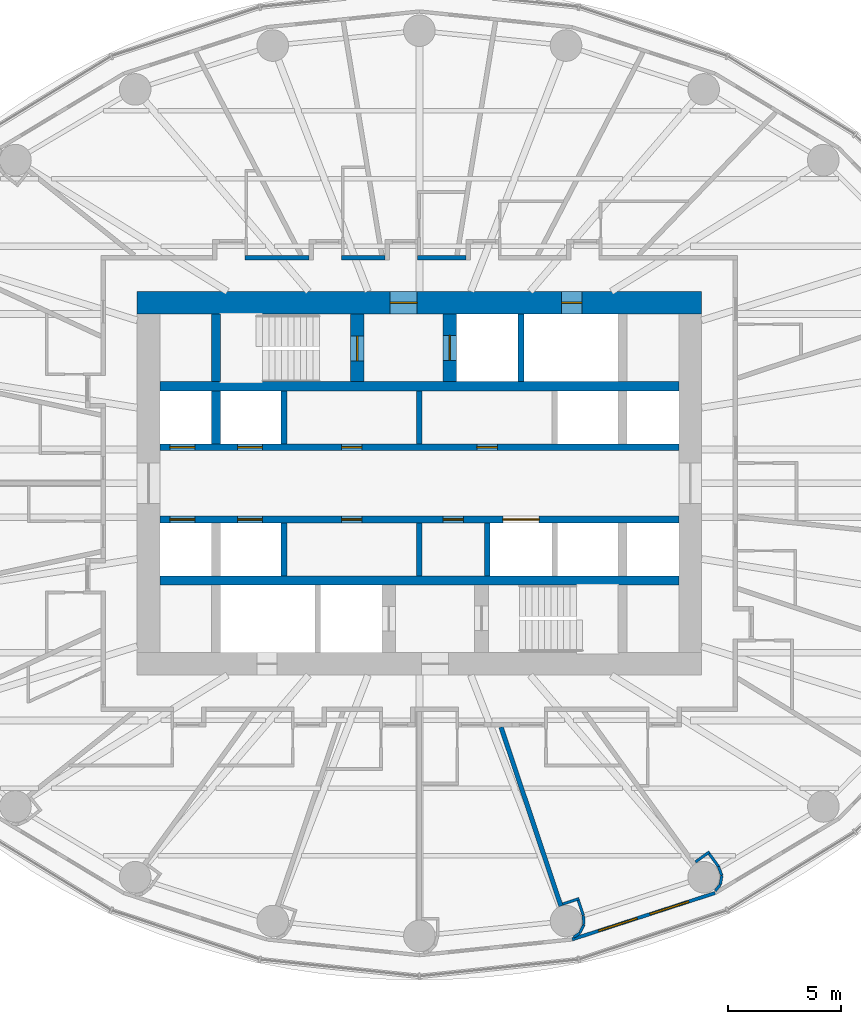
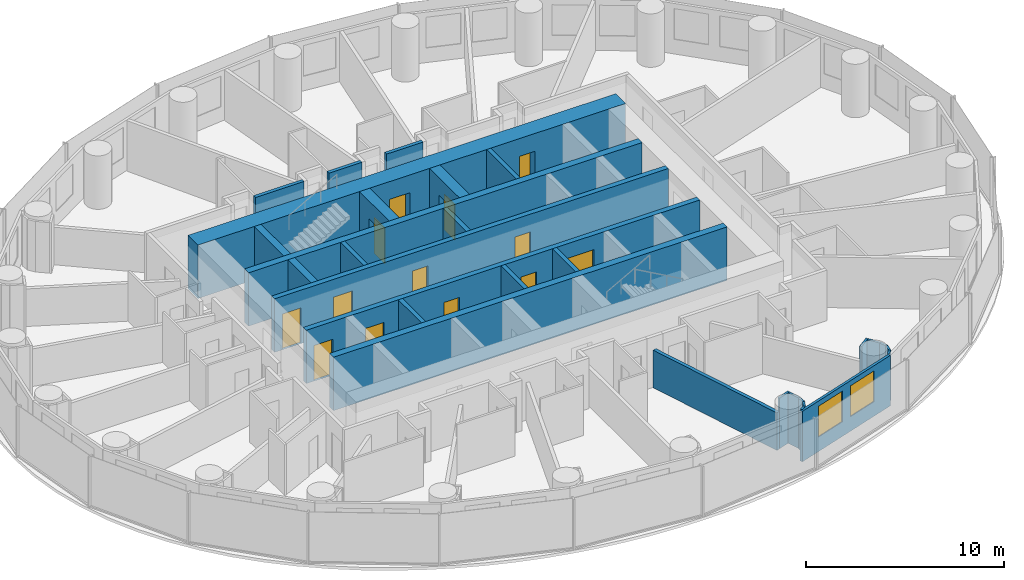
# One storey, part 9 of 14: 30 walls, 13 doors, 2 windows, 15 openings.
"""IFC4 building model written with IfcOpenShell, lengths in metres."""

from ifc_helpers import new_model, si_unit, direction, frame, frame_2d, origin, place, context, subcontext, project, spatial, rectangle, extrude, material, layer, layer_set, type_object, element, fill, save


model = new_model("IFC4")

# Units and contexts
model_context = context("Model", 3, precision=1e-05, world=origin(), true_north=direction((0.0, 1.0)))
body_context = subcontext(model_context, "Body", "Model", "MODEL_VIEW")
ifc_project = project(units=[si_unit("LENGTHUNIT", "METRE"), si_unit("AREAUNIT", "SQUARE_METRE"), si_unit("VOLUMEUNIT", "CUBIC_METRE"), si_unit("PLANEANGLEUNIT", "RADIAN"), si_unit("MASSUNIT", "GRAM", prefix="KILO")], contexts=[model_context])

# Site, building, storey
site_placement = place(None, origin())
site = spatial("IfcSite", under=ifc_project, at=site_placement, CompositionType="ELEMENT")
building_placement = place(site_placement, origin())
building = spatial("IfcBuilding", under=site, at=building_placement, Name="Hankou Lantern Tower", CompositionType="ELEMENT")
storey_placement = place(building_placement, frame((0.0, 0.0, 50.699951171875)))
storey = spatial("IfcBuildingStorey", under=building, at=storey_placement, Name="L11", CompositionType="ELEMENT", Elevation=50.699951171875)

# Wall, openings, doors
ifc_material_1 = material(Name="Concrete C60", Category="concrete")
ifc_layer_1 = layer(ifc_material_1, 1.0)
ifc_layer_set_1 = layer_set([ifc_layer_1], Name="Concrete C60")
wall_type_1 = type_object("IfcWallType", Name="CW1 CORE WALL 1000", PredefinedType="SHEAR", material=ifc_layer_set_1)
wall_1_placement = place(storey_placement, frame((-12.5, 8.0, 0.0), z_axis=(0.0, 0.0, 1.0), x_axis=(1.0, 0.0, 0.0)))
wall_1 = element("IfcWall", 1, at=wall_1_placement, inside=storey, type_object=wall_type_1, Name="Core wall north L11", PredefinedType="SHEAR", context=body_context, shape_type="SweptSolid", body=[
    extrude(rectangle(XDim=25.0, YDim=1.0, at=frame_2d((12.5, 0.0))), origin(), (0.0, 0.0, 1.0), 3.300048828125),
])
opening_1_placement = place(wall_1_placement, frame((11.199951171875, 0.0, 0.0)))
opening_1 = element("IfcOpeningElement", 2, at=opening_1_placement, cuts=wall_1, Name="Opening D5", PredefinedType="OPENING", context=body_context, shape_type="SweptSolid", body=[
    extrude(rectangle(XDim=1.199951171875, YDim=2.199951171875, at=frame_2d((0.60009765625, 1.10009765625))), frame((0.0, 0.510009765625, 0.0), z_axis=(0.0, -1.0, 0.0), x_axis=(1.0, 0.0, 0.0)), (0.0, 0.0, 1.0), 1.02001953125),
])
opening_2_placement = place(wall_1_placement, frame((18.800048828125, 0.0, 0.0)))
opening_2 = element("IfcOpeningElement", 3, at=opening_2_placement, cuts=wall_1, Name="Opening D7", PredefinedType="OPENING", context=body_context, shape_type="SweptSolid", body=[
    extrude(rectangle(XDim=0.89990234375, YDim=2.199951171875, at=frame_2d((0.449951171875, 1.10009765625))), frame((0.0, 0.510009765625, 0.0), z_axis=(0.0, -1.0, 0.0), x_axis=(1.0, 0.0, 0.0)), (0.0, 0.0, 1.0), 1.02001953125),
])
ifc_material_2 = material(Name="Steel door leaf", Category="steel")
door_type_1 = type_object("IfcDoorType", Name="D5 STAIR LOBBY DOOR 1200X2200", OperationType="SINGLE_SWING_LEFT", PredefinedType="DOOR", material=ifc_material_2)
door_1_placement = place(opening_1_placement, origin())
door_1 = element("IfcDoor", 4, at=door_1_placement, inside=storey, type_object=door_type_1, Name="Stair A lobby door", OperationType="SINGLE_SWING_LEFT", OverallHeight=2.199951171875, OverallWidth=1.199951171875, PredefinedType="DOOR", context=body_context, shape_type="SweptSolid", body=[
    extrude(rectangle(XDim=1.199951171875, YDim=2.199951171875, at=frame_2d((0.60009765625, 1.10009765625))), frame((0.0, 0.02490234375, 0.0), z_axis=(0.0, -1.0, 0.0), x_axis=(1.0, 0.0, 0.0)), (0.0, 0.0, 1.0), 0.050048828125),
])
fill(opening_1, door_1)
ifc_material_3 = material(Name="Steel door leaf", Category="steel")
door_type_2 = type_object("IfcDoorType", Name="D7 RISER DOOR 900X2200", OperationType="SINGLE_SWING_LEFT", PredefinedType="DOOR", material=ifc_material_3)
door_2_placement = place(opening_2_placement, origin())
door_2 = element("IfcDoor", 5, at=door_2_placement, inside=storey, type_object=door_type_2, Name="Riser N1 door", OperationType="SINGLE_SWING_RIGHT", OverallHeight=2.199951171875, OverallWidth=0.89990234375, PredefinedType="DOOR", context=body_context, shape_type="SweptSolid", body=[
    extrude(rectangle(XDim=0.89990234375, YDim=2.199951171875, at=frame_2d((0.449951171875, 1.10009765625))), frame((0.0, 0.02490234375, 0.0), z_axis=(0.0, -1.0, 0.0), x_axis=(1.0, 0.0, 0.0)), (0.0, 0.0, 1.0), 0.050048828125),
])
fill(opening_2, door_2)

# Walls
ifc_material_4 = material(Name="Concrete C60", Category="concrete")
ifc_layer_2 = layer(ifc_material_4, 0.39990234375)
ifc_layer_set_2 = layer_set([ifc_layer_2], Name="Concrete C60")
wall_type_2 = type_object("IfcWallType", Name="CW4 CORE CROSS WALL 400", PredefinedType="SHEAR", material=ifc_layer_set_2)
for number, where, z_axis, x_axis, name in (
    (6, (-11.5, 4.300048828125, 0.0), (0.0, 0.0, 1.0), (1.0, 0.0, 0.0), "Core band wall north L11"),
    (7, (-11.5, -4.300048828125, 0.0), (0.0, 0.0, 1.0), (1.0, 0.0, 0.0), "Core band wall south L11"),
):
    element("IfcWall", number, at=place(storey_placement, frame(where, z_axis=z_axis, x_axis=x_axis)), inside=storey, type_object=wall_type_2, Name=name, PredefinedType="SHEAR", context=body_context, shape_type="SweptSolid", body=[
        extrude(rectangle(XDim=23.0, YDim=0.39990234375, at=frame_2d((11.5, 0.0))), origin(), (0.0, 0.0, 1.0), 3.300048828125),
    ])
wall_2_placement = place(storey_placement, frame((-9.0, 4.5, 0.0), z_axis=(0.0, 0.0, 1.0), x_axis=(0.0, 1.0, 0.0)))
element("IfcWall", 8, at=wall_2_placement, inside=storey, type_object=wall_type_2, Name="Core strip wall L11", PredefinedType="SHEAR", context=body_context, shape_type="SweptSolid", body=[
    extrude(rectangle(XDim=3.0, YDim=0.39990234375, at=frame_2d((1.5, 0.0))), origin(), (0.0, 0.0, 1.0), 3.300048828125),
])
wall_3_placement = place(storey_placement, frame((-9.0, 1.75, 0.0), z_axis=(0.0, 0.0, 1.0), x_axis=(0.0, 1.0, 0.0)))
element("IfcWall", 9, at=wall_3_placement, inside=storey, type_object=wall_type_2, Name="Core strip wall L11", PredefinedType="SHEAR", context=body_context, shape_type="SweptSolid", body=[
    extrude(rectangle(XDim=2.35009765625, YDim=0.39990234375, at=frame_2d((1.175048828125, 0.0))), origin(), (0.0, 0.0, 1.0), 3.300048828125),
])

# Wall, openings, doors
ifc_material_5 = material(Name="Concrete C60", Category="concrete")
ifc_layer_3 = layer(ifc_material_5, 0.300048828125)
ifc_layer_set_3 = layer_set([ifc_layer_3], Name="Concrete C60")
wall_type_3 = type_object("IfcWallType", Name="CW5 LIFT LOBBY WALL 300", PredefinedType="SHEAR", material=ifc_layer_set_3)
wall_4_placement = place(storey_placement, frame((-11.5, 1.60009765625, 0.0), z_axis=(0.0, 0.0, 1.0), x_axis=(1.0, 0.0, 0.0)))
wall_4 = element("IfcWall", 10, at=wall_4_placement, inside=storey, type_object=wall_type_3, Name="Lift lobby wall north L11", PredefinedType="SHEAR", context=body_context, shape_type="SweptSolid", body=[
    extrude(rectangle(XDim=23.0, YDim=0.300048828125, at=frame_2d((11.5, 0.0))), origin(), (0.0, 0.0, 1.0), 3.300048828125),
])
opening_3_placement = place(wall_4_placement, frame((0.449951171875, 0.0, 0.0)))
opening_3 = element("IfcOpeningElement", 11, at=opening_3_placement, cuts=wall_4, Name="Opening LD1", PredefinedType="OPENING", context=body_context, shape_type="SweptSolid", body=[
    extrude(rectangle(XDim=1.10009765625, YDim=2.199951171875, at=frame_2d((0.550048828125, 1.10009765625))), frame((0.0, 0.159912109375, 0.0), z_axis=(0.0, -1.0, 0.0), x_axis=(1.0, 0.0, 0.0)), (0.0, 0.0, 1.0), 0.320068359375),
])
opening_4_placement = place(wall_4_placement, frame((3.449951171875, 0.0, 0.0)))
opening_4 = element("IfcOpeningElement", 12, at=opening_4_placement, cuts=wall_4, Name="Opening LD1", PredefinedType="OPENING", context=body_context, shape_type="SweptSolid", body=[
    extrude(rectangle(XDim=1.10009765625, YDim=2.199951171875, at=frame_2d((0.550048828125, 1.10009765625))), frame((0.0, 0.159912109375, 0.0), z_axis=(0.0, -1.0, 0.0), x_axis=(1.0, 0.0, 0.0)), (0.0, 0.0, 1.0), 0.320068359375),
])
opening_5_placement = place(wall_4_placement, frame((8.050048828125, 0.0, 0.0)))
opening_5 = element("IfcOpeningElement", 13, at=opening_5_placement, cuts=wall_4, Name="Opening D30", PredefinedType="OPENING", context=body_context, shape_type="SweptSolid", body=[
    extrude(rectangle(XDim=0.89990234375, YDim=2.199951171875, at=frame_2d((0.449951171875, 1.10009765625))), frame((0.0, 0.159912109375, 0.0), z_axis=(0.0, -1.0, 0.0), x_axis=(1.0, 0.0, 0.0)), (0.0, 0.0, 1.0), 0.320068359375),
])
opening_6_placement = place(wall_4_placement, frame((14.050048828125, 0.0, 0.0)))
opening_6 = element("IfcOpeningElement", 14, at=opening_6_placement, cuts=wall_4, Name="Opening D30", PredefinedType="OPENING", context=body_context, shape_type="SweptSolid", body=[
    extrude(rectangle(XDim=0.89990234375, YDim=2.199951171875, at=frame_2d((0.449951171875, 1.10009765625))), frame((0.0, 0.159912109375, 0.0), z_axis=(0.0, -1.0, 0.0), x_axis=(1.0, 0.0, 0.0)), (0.0, 0.0, 1.0), 0.320068359375),
])
ifc_material_6 = material(Name="Steel door leaf", Category="steel")
door_type_3 = type_object("IfcDoorType", Name="D30 CORE ROOM DOOR 900X2200", OperationType="SINGLE_SWING_LEFT", PredefinedType="DOOR", material=ifc_material_6)
door_3_placement = place(opening_5_placement, origin())
door_3 = element("IfcDoor", 15, at=door_3_placement, inside=storey, type_object=door_type_3, Name="Cleaner's store door", OperationType="SINGLE_SWING_LEFT", OverallHeight=2.199951171875, OverallWidth=0.89990234375, PredefinedType="DOOR", context=body_context, shape_type="SweptSolid", body=[
    extrude(rectangle(XDim=0.89990234375, YDim=2.199951171875, at=frame_2d((0.449951171875, 1.10009765625))), frame((0.0, 0.02490234375, 0.0), z_axis=(0.0, -1.0, 0.0), x_axis=(1.0, 0.0, 0.0)), (0.0, 0.0, 1.0), 0.050048828125),
])
fill(opening_5, door_3)
door_4_placement = place(opening_6_placement, origin())
door_4 = element("IfcDoor", 16, at=door_4_placement, inside=storey, type_object=door_type_3, Name="Minibar store door", OperationType="SINGLE_SWING_RIGHT", OverallHeight=2.199951171875, OverallWidth=0.89990234375, PredefinedType="DOOR", context=body_context, shape_type="SweptSolid", body=[
    extrude(rectangle(XDim=0.89990234375, YDim=2.199951171875, at=frame_2d((0.449951171875, 1.10009765625))), frame((0.0, 0.02490234375, 0.0), z_axis=(0.0, -1.0, 0.0), x_axis=(1.0, 0.0, 0.0)), (0.0, 0.0, 1.0), 0.050048828125),
])
fill(opening_6, door_4)
ifc_material_7 = material(Name="Steel door leaf", Category="steel")
door_type_4 = type_object("IfcDoorType", Name="LD1 LIFT LANDING DOOR 1100X2200", OperationType="DOUBLE_DOOR_SLIDING", PredefinedType="DOOR", material=ifc_material_7)
door_5_placement = place(opening_3_placement, origin())
door_5 = element("IfcDoor", 17, at=door_5_placement, inside=storey, type_object=door_type_4, Name="Lift L1 landing door", OperationType="DOUBLE_DOOR_SLIDING", OverallHeight=2.199951171875, OverallWidth=1.10009765625, PredefinedType="DOOR", context=body_context, shape_type="SweptSolid", body=[
    extrude(rectangle(XDim=1.10009765625, YDim=2.199951171875, at=frame_2d((0.550048828125, 1.10009765625))), frame((0.0, 0.02490234375, 0.0), z_axis=(0.0, -1.0, 0.0), x_axis=(1.0, 0.0, 0.0)), (0.0, 0.0, 1.0), 0.050048828125),
])
fill(opening_3, door_5)
door_6_placement = place(opening_4_placement, origin())
door_6 = element("IfcDoor", 18, at=door_6_placement, inside=storey, type_object=door_type_4, Name="Lift L2 landing door", OperationType="DOUBLE_DOOR_SLIDING", OverallHeight=2.199951171875, OverallWidth=1.10009765625, PredefinedType="DOOR", context=body_context, shape_type="SweptSolid", body=[
    extrude(rectangle(XDim=1.10009765625, YDim=2.199951171875, at=frame_2d((0.550048828125, 1.10009765625))), frame((0.0, 0.02490234375, 0.0), z_axis=(0.0, -1.0, 0.0), x_axis=(1.0, 0.0, 0.0)), (0.0, 0.0, 1.0), 0.050048828125),
])
fill(opening_4, door_6)

wall_5_placement = place(storey_placement, frame((-11.5, -1.60009765625, 0.0), z_axis=(0.0, 0.0, 1.0), x_axis=(1.0, 0.0, 0.0)))
wall_5 = element("IfcWall", 19, at=wall_5_placement, inside=storey, type_object=wall_type_3, Name="Lift lobby wall south L11", PredefinedType="SHEAR", context=body_context, shape_type="SweptSolid", body=[
    extrude(rectangle(XDim=23.0, YDim=0.300048828125, at=frame_2d((11.5, 0.0))), origin(), (0.0, 0.0, 1.0), 3.300048828125),
])
opening_7_placement = place(wall_5_placement, frame((0.449951171875, 0.0, 0.0)))
opening_7 = element("IfcOpeningElement", 20, at=opening_7_placement, cuts=wall_5, Name="Opening LD1", PredefinedType="OPENING", context=body_context, shape_type="SweptSolid", body=[
    extrude(rectangle(XDim=1.10009765625, YDim=2.199951171875, at=frame_2d((0.550048828125, 1.10009765625))), frame((0.0, 0.159912109375, 0.0), z_axis=(0.0, -1.0, 0.0), x_axis=(1.0, 0.0, 0.0)), (0.0, 0.0, 1.0), 0.320068359375),
])
opening_8_placement = place(wall_5_placement, frame((3.449951171875, 0.0, 0.0)))
opening_8 = element("IfcOpeningElement", 21, at=opening_8_placement, cuts=wall_5, Name="Opening LD1", PredefinedType="OPENING", context=body_context, shape_type="SweptSolid", body=[
    extrude(rectangle(XDim=1.10009765625, YDim=2.199951171875, at=frame_2d((0.550048828125, 1.10009765625))), frame((0.0, 0.159912109375, 0.0), z_axis=(0.0, -1.0, 0.0), x_axis=(1.0, 0.0, 0.0)), (0.0, 0.0, 1.0), 0.320068359375),
])
opening_9_placement = place(wall_5_placement, frame((15.199951171875, 0.0, 0.0)))
opening_9 = element("IfcOpeningElement", 22, at=opening_9_placement, cuts=wall_5, Name="Opening LD4", PredefinedType="OPENING", context=body_context, shape_type="SweptSolid", body=[
    extrude(rectangle(XDim=1.60009765625, YDim=2.39990234375, at=frame_2d((0.800048828125, 1.199951171875))), frame((0.0, 0.159912109375, 0.0), z_axis=(0.0, -1.0, 0.0), x_axis=(1.0, 0.0, 0.0)), (0.0, 0.0, 1.0), 0.320068359375),
])
opening_10_placement = place(wall_5_placement, frame((8.050048828125, 0.0, 0.0)))
opening_10 = element("IfcOpeningElement", 23, at=opening_10_placement, cuts=wall_5, Name="Opening D30", PredefinedType="OPENING", context=body_context, shape_type="SweptSolid", body=[
    extrude(rectangle(XDim=0.89990234375, YDim=2.199951171875, at=frame_2d((0.449951171875, 1.10009765625))), frame((0.0, 0.159912109375, 0.0), z_axis=(0.0, -1.0, 0.0), x_axis=(1.0, 0.0, 0.0)), (0.0, 0.0, 1.0), 0.320068359375),
])
opening_11_placement = place(wall_5_placement, frame((12.550048828125, 0.0, 0.0)))
opening_11 = element("IfcOpeningElement", 24, at=opening_11_placement, cuts=wall_5, Name="Opening D30", PredefinedType="OPENING", context=body_context, shape_type="SweptSolid", body=[
    extrude(rectangle(XDim=0.89990234375, YDim=2.199951171875, at=frame_2d((0.449951171875, 1.10009765625))), frame((0.0, 0.159912109375, 0.0), z_axis=(0.0, -1.0, 0.0), x_axis=(1.0, 0.0, 0.0)), (0.0, 0.0, 1.0), 0.320068359375),
])
door_7_placement = place(opening_10_placement, origin())
door_7 = element("IfcDoor", 25, at=door_7_placement, inside=storey, type_object=door_type_3, Name="Housekeeping and linen store door", OperationType="SINGLE_SWING_LEFT", OverallHeight=2.199951171875, OverallWidth=0.89990234375, PredefinedType="DOOR", context=body_context, shape_type="SweptSolid", body=[
    extrude(rectangle(XDim=0.89990234375, YDim=2.199951171875, at=frame_2d((0.449951171875, 1.10009765625))), frame((0.0, 0.02490234375, 0.0), z_axis=(0.0, -1.0, 0.0), x_axis=(1.0, 0.0, 0.0)), (0.0, 0.0, 1.0), 0.050048828125),
])
fill(opening_10, door_7)
door_8_placement = place(opening_11_placement, origin())
door_8 = element("IfcDoor", 26, at=door_8_placement, inside=storey, type_object=door_type_3, Name="Waste and recycling room door", OperationType="SINGLE_SWING_RIGHT", OverallHeight=2.199951171875, OverallWidth=0.89990234375, PredefinedType="DOOR", context=body_context, shape_type="SweptSolid", body=[
    extrude(rectangle(XDim=0.89990234375, YDim=2.199951171875, at=frame_2d((0.449951171875, 1.10009765625))), frame((0.0, 0.02490234375, 0.0), z_axis=(0.0, -1.0, 0.0), x_axis=(1.0, 0.0, 0.0)), (0.0, 0.0, 1.0), 0.050048828125),
])
fill(opening_11, door_8)
door_9_placement = place(opening_7_placement, origin())
door_9 = element("IfcDoor", 27, at=door_9_placement, inside=storey, type_object=door_type_4, Name="Lift L3 landing door", OperationType="DOUBLE_DOOR_SLIDING", OverallHeight=2.199951171875, OverallWidth=1.10009765625, PredefinedType="DOOR", context=body_context, shape_type="SweptSolid", body=[
    extrude(rectangle(XDim=1.10009765625, YDim=2.199951171875, at=frame_2d((0.550048828125, 1.10009765625))), frame((0.0, 0.02490234375, 0.0), z_axis=(0.0, -1.0, 0.0), x_axis=(1.0, 0.0, 0.0)), (0.0, 0.0, 1.0), 0.050048828125),
])
fill(opening_7, door_9)
door_10_placement = place(opening_8_placement, origin())
door_10 = element("IfcDoor", 28, at=door_10_placement, inside=storey, type_object=door_type_4, Name="Lift L4 landing door", OperationType="DOUBLE_DOOR_SLIDING", OverallHeight=2.199951171875, OverallWidth=1.10009765625, PredefinedType="DOOR", context=body_context, shape_type="SweptSolid", body=[
    extrude(rectangle(XDim=1.10009765625, YDim=2.199951171875, at=frame_2d((0.550048828125, 1.10009765625))), frame((0.0, 0.02490234375, 0.0), z_axis=(0.0, -1.0, 0.0), x_axis=(1.0, 0.0, 0.0)), (0.0, 0.0, 1.0), 0.050048828125),
])
fill(opening_8, door_10)
ifc_material_8 = material(Name="Steel door leaf", Category="steel")
door_type_5 = type_object("IfcDoorType", Name="LD4 SERVICE LIFT LANDING DOOR 1600X2400", OperationType="DOUBLE_DOOR_SLIDING", PredefinedType="DOOR", material=ifc_material_8)
door_11_placement = place(opening_9_placement, origin())
door_11 = element("IfcDoor", 29, at=door_11_placement, inside=storey, type_object=door_type_5, Name="Lift SV1 landing door", OperationType="DOUBLE_DOOR_SLIDING", OverallHeight=2.39990234375, OverallWidth=1.60009765625, PredefinedType="DOOR", context=body_context, shape_type="SweptSolid", body=[
    extrude(rectangle(XDim=1.60009765625, YDim=2.39990234375, at=frame_2d((0.800048828125, 1.199951171875))), frame((0.0, 0.02490234375, 0.0), z_axis=(0.0, -1.0, 0.0), x_axis=(1.0, 0.0, 0.0)), (0.0, 0.0, 1.0), 0.050048828125),
])
fill(opening_9, door_11)

# Wall, opening, door
ifc_material_9 = material(Name="Concrete C60", Category="concrete")
ifc_layer_4 = layer(ifc_material_9, 0.60009765625)
ifc_layer_set_4 = layer_set([ifc_layer_4], Name="Concrete C60")
wall_type_4 = type_object("IfcWallType", Name="CW6 STAIR AND SHAFT WALL 600", PredefinedType="SHEAR", material=ifc_layer_set_4)
wall_6_placement = place(storey_placement, frame((-2.75, 4.5, 0.0), z_axis=(0.0, 0.0, 1.0), x_axis=(0.0, 1.0, 0.0)))
wall_6 = element("IfcWall", 30, at=wall_6_placement, inside=storey, type_object=wall_type_4, Name="Stair wall L11", PredefinedType="SHEAR", context=body_context, shape_type="SweptSolid", body=[
    extrude(rectangle(XDim=3.0, YDim=0.60009765625, at=frame_2d((1.5, 0.0))), origin(), (0.0, 0.0, 1.0), 3.300048828125),
])
opening_12_placement = place(wall_6_placement, frame((0.925048828125, 0.0, 0.0)))
opening_12 = element("IfcOpeningElement", 31, at=opening_12_placement, cuts=wall_6, Name="Opening D4", PredefinedType="OPENING", context=body_context, shape_type="SweptSolid", body=[
    extrude(rectangle(XDim=1.10009765625, YDim=2.199951171875, at=frame_2d((0.550048828125, 1.10009765625))), frame((0.0, 0.31005859375, 0.0), z_axis=(0.0, -1.0, 0.0), x_axis=(1.0, 0.0, 0.0)), (0.0, 0.0, 1.0), 0.6201171875),
])
ifc_material_10 = material(Name="Steel door leaf", Category="steel")
door_type_6 = type_object("IfcDoorType", Name="D4 STAIR DOOR 1100X2200", OperationType="SINGLE_SWING_LEFT", PredefinedType="DOOR", material=ifc_material_10)
door_12_placement = place(opening_12_placement, origin())
door_12 = element("IfcDoor", 32, at=door_12_placement, inside=storey, type_object=door_type_6, Name="Stair A door", OperationType="SINGLE_SWING_LEFT", OverallHeight=2.199951171875, OverallWidth=1.10009765625, PredefinedType="DOOR", context=body_context, shape_type="SweptSolid", body=[
    extrude(rectangle(XDim=1.10009765625, YDim=2.199951171875, at=frame_2d((0.550048828125, 1.10009765625))), frame((0.0, 0.02490234375, 0.0), z_axis=(0.0, -1.0, 0.0), x_axis=(1.0, 0.0, 0.0)), (0.0, 0.0, 1.0), 0.050048828125),
])
fill(opening_12, door_12)

wall_7_placement = place(storey_placement, frame((1.35009765625, 4.5, 0.0), z_axis=(0.0, 0.0, 1.0), x_axis=(0.0, 1.0, 0.0)))
wall_7 = element("IfcWall", 33, at=wall_7_placement, inside=storey, type_object=wall_type_4, Name="Firefighting lift shaft wall L11", PredefinedType="SHEAR", context=body_context, shape_type="SweptSolid", body=[
    extrude(rectangle(XDim=3.0, YDim=0.60009765625, at=frame_2d((1.5, 0.0))), origin(), (0.0, 0.0, 1.0), 3.300048828125),
])
opening_13_placement = place(wall_7_placement, frame((0.949951171875, 0.0, 0.0)))
opening_13 = element("IfcOpeningElement", 34, at=opening_13_placement, cuts=wall_7, Name="Opening LD2", PredefinedType="OPENING", context=body_context, shape_type="SweptSolid", body=[
    extrude(rectangle(XDim=1.10009765625, YDim=2.199951171875, at=frame_2d((0.550048828125, 1.10009765625))), frame((0.0, 0.31005859375, 0.0), z_axis=(0.0, -1.0, 0.0), x_axis=(1.0, 0.0, 0.0)), (0.0, 0.0, 1.0), 0.6201171875),
])
ifc_material_11 = material(Name="Steel door leaf", Category="steel")
door_type_7 = type_object("IfcDoorType", Name="LD2 FIREFIGHTING LIFT LANDING DOOR 1100X2200", OperationType="DOUBLE_DOOR_SLIDING", PredefinedType="DOOR", material=ifc_material_11)
door_13_placement = place(opening_13_placement, origin())
door_13 = element("IfcDoor", 35, at=door_13_placement, inside=storey, type_object=door_type_7, Name="Firefighting lift FL1 landing door", OperationType="DOUBLE_DOOR_SLIDING", OverallHeight=2.199951171875, OverallWidth=1.10009765625, PredefinedType="DOOR", context=body_context, shape_type="SweptSolid", body=[
    extrude(rectangle(XDim=1.10009765625, YDim=2.199951171875, at=frame_2d((0.550048828125, 1.10009765625))), frame((0.0, 0.02490234375, 0.0), z_axis=(0.0, -1.0, 0.0), x_axis=(1.0, 0.0, 0.0)), (0.0, 0.0, 1.0), 0.050048828125),
])
fill(opening_13, door_13)

# Wall, openings, windows
ifc_material_12 = material(Name="Aluminium spandrel panel on steel studs", Category="steel")
ifc_layer_5 = layer(ifc_material_12, 0.14990234375)
ifc_layer_set_5 = layer_set([ifc_layer_5], Name="Aluminium spandrel panel on steel studs")
wall_type_5 = type_object("IfcWallType", Name="EW1 INNER SKIN WALL 150", PredefinedType="ELEMENTEDWALL", material=ifc_layer_set_5)
wall_8_placement = place(storey_placement, frame((6.766357421875, -20.201904296875, 0.0), z_axis=(0.0, 0.0, 1.0), x_axis=(0.951137534625, 0.308767534285, 0.0)))
wall_8 = element("IfcWall", 36, at=wall_8_placement, inside=storey, type_object=wall_type_5, Name="Inner skin R20-R21 L11", PredefinedType="ELEMENTEDWALL", context=body_context, shape_type="SweptSolid", body=[
    extrude(rectangle(XDim=6.6552734375, YDim=0.14990234375, at=frame_2d((3.32763671875, 0.0))), origin(), (0.0, 0.0, 1.0), 3.1201171875),
])
opening_14_placement = place(wall_8_placement, frame((1.2275390625, 0.0, 0.89990234375)))
opening_14 = element("IfcOpeningElement", 37, at=opening_14_placement, cuts=wall_8, Name="Opening W1", PredefinedType="OPENING", context=body_context, shape_type="SweptSolid", body=[
    extrude(rectangle(XDim=1.800048828125, YDim=1.89990234375, at=frame_2d((0.89990234375, 0.949951171875))), frame((0.0, 0.0849609375, 0.0), z_axis=(0.0, -1.0, 0.0), x_axis=(1.0, 0.0, 0.0)), (0.0, 0.0, 1.0), 0.169921875),
])
opening_15_placement = place(wall_8_placement, frame((3.627685546875, 0.0, 0.89990234375)))
opening_15 = element("IfcOpeningElement", 38, at=opening_15_placement, cuts=wall_8, Name="Opening W1", PredefinedType="OPENING", context=body_context, shape_type="SweptSolid", body=[
    extrude(rectangle(XDim=1.800048828125, YDim=1.89990234375, at=frame_2d((0.89990234375, 0.949951171875))), frame((0.0, 0.0849609375, 0.0), z_axis=(0.0, -1.0, 0.0), x_axis=(1.0, 0.0, 0.0)), (0.0, 0.0, 1.0), 0.169921875),
])
ifc_material_13 = material(Name="Aluminium framed double glazed window", Category="aluminium")
window_type = type_object("IfcWindowType", Name="W1 GUEST ROOM WINDOW 1800X1900", PartitioningType="DOUBLE_PANEL_VERTICAL", PredefinedType="WINDOW", material=ifc_material_13)
window_1_placement = place(opening_14_placement, origin())
window_1 = element("IfcWindow", 39, at=window_1_placement, inside=storey, type_object=window_type, Name="Window R20.1 L11", OverallHeight=1.89990234375, OverallWidth=1.800048828125, PartitioningType="SINGLE_PANEL", PredefinedType="WINDOW", context=body_context, shape_type="SweptSolid", body=[
    extrude(rectangle(XDim=1.800048828125, YDim=1.89990234375, at=frame_2d((0.89990234375, 0.949951171875))), frame((0.0, 0.030029296875, 0.0), z_axis=(0.0, -1.0, 0.0), x_axis=(1.0, 0.0, 0.0)), (0.0, 0.0, 1.0), 0.06005859375),
])
fill(opening_14, window_1)
window_2_placement = place(opening_15_placement, origin())
window_2 = element("IfcWindow", 40, at=window_2_placement, inside=storey, type_object=window_type, Name="Window R20.2 L11", OverallHeight=1.89990234375, OverallWidth=1.800048828125, PartitioningType="SINGLE_PANEL", PredefinedType="WINDOW", context=body_context, shape_type="SweptSolid", body=[
    extrude(rectangle(XDim=1.800048828125, YDim=1.89990234375, at=frame_2d((0.89990234375, 0.949951171875))), frame((0.0, 0.030029296875, 0.0), z_axis=(0.0, -1.0, 0.0), x_axis=(1.0, 0.0, 0.0)), (0.0, 0.0, 1.0), 0.06005859375),
])
fill(opening_15, window_2)

# Walls
ifc_material_14 = material(Name="Masonry lightweight concrete block", Category="masonry")
ifc_layer_6 = layer(ifc_material_14, 0.199951171875)
ifc_layer_set_6 = layer_set([ifc_layer_6], Name="Masonry lightweight concrete block")
wall_type_6 = type_object("IfcWallType", Name="IW1 GUEST ROOM PARTY WALL 200", PredefinedType="PARTITIONING", material=ifc_layer_set_6)
wall_9_placement = place(storey_placement, frame((3.617431640625, -10.800048828125, 0.0), z_axis=(0.0, 0.0, 1.0), x_axis=(0.317576599239, -0.948232621046, 0.0)))
element("IfcWall", 41, at=wall_9_placement, inside=storey, type_object=wall_type_6, Name="Party wall R20", PredefinedType="PARTITIONING", context=body_context, shape_type="SweptSolid", body=[
    extrude(rectangle(XDim=8.3603515625, YDim=0.199951171875, at=frame_2d((4.18017578125, 0.0))), origin(), (0.0, 0.0, 1.0), 2.320068359375),
])
ifc_material_15 = material(Name="Masonry lightweight concrete block", Category="masonry")
ifc_layer_7 = layer(ifc_material_15, 0.199951171875)
ifc_layer_set_7 = layer_set([ifc_layer_7], Name="Masonry lightweight concrete block")
wall_type_7 = type_object("IfcWallType", Name="IW2 CORRIDOR WALL 200", PredefinedType="PARTITIONING", material=ifc_layer_set_7)
wall_10_placement = place(storey_placement, frame((-7.728515625, 10.0, 0.0), z_axis=(0.0, 0.0, 1.0), x_axis=(1.0, 0.0, 0.0)))
element("IfcWall", 42, at=wall_10_placement, inside=storey, type_object=wall_type_7, Name="Corridor wall north", PredefinedType="PARTITIONING", context=body_context, shape_type="SweptSolid", body=[
    extrude(rectangle(XDim=2.83349609375, YDim=0.199951171875, at=frame_2d((1.416748046875, 0.0))), origin(), (0.0, 0.0, 1.0), 3.1201171875),
])
wall_11_placement = place(storey_placement, frame((-3.455078125, 10.0, 0.0), z_axis=(0.0, 0.0, 1.0), x_axis=(1.0, 0.0, 0.0)))
element("IfcWall", 43, at=wall_11_placement, inside=storey, type_object=wall_type_7, Name="Corridor wall north", PredefinedType="PARTITIONING", context=body_context, shape_type="SweptSolid", body=[
    extrude(rectangle(XDim=1.93994140625, YDim=0.199951171875, at=frame_2d((0.969970703125, 0.0))), origin(), (0.0, 0.0, 1.0), 3.1201171875),
])
wall_12_placement = place(storey_placement, frame((-0.074951171875, 10.0, 0.0), z_axis=(0.0, 0.0, 1.0), x_axis=(1.0, 0.0, 0.0)))
element("IfcWall", 44, at=wall_12_placement, inside=storey, type_object=wall_type_7, Name="Corridor wall north", PredefinedType="PARTITIONING", context=body_context, shape_type="SweptSolid", body=[
    extrude(rectangle(XDim=2.133544921875, YDim=0.199951171875, at=frame_2d((1.06689453125, 0.0))), origin(), (0.0, 0.0, 1.0), 3.1201171875),
])
ifc_material_16 = material(Name="Masonry lightweight concrete block", Category="masonry")
ifc_layer_8 = layer(ifc_material_16, 0.1201171875)
ifc_layer_set_8 = layer_set([ifc_layer_8], Name="Masonry lightweight concrete block")
wall_type_8 = type_object("IfcWallType", Name="IW4 PARTITION 120", PredefinedType="PARTITIONING", material=ifc_layer_set_8)
wall_13_placement = place(storey_placement, frame((6.348388671875, -18.638916015625, 0.0), z_axis=(0.0, 0.0, 1.0), x_axis=(0.948268951266, 0.317468102437, 0.0)))
element("IfcWall", 45, at=wall_13_placement, inside=storey, type_object=wall_type_8, Name="Column casing R20 return", PredefinedType="PARTITIONING", context=body_context, shape_type="SweptSolid", body=[
    extrude(rectangle(XDim=0.767578125, YDim=0.1201171875, at=frame_2d((0.3837890625, 0.0))), origin(), (0.0, 0.0, 1.0), 3.1201171875),
])
wall_14_placement = place(storey_placement, frame((7.038330078125, -18.47119140625, 0.0), z_axis=(0.0, 0.0, 1.0), x_axis=(0.317378466199, -0.9482989556, 0.0)))
element("IfcWall", 46, at=wall_14_placement, inside=storey, type_object=wall_type_8, Name="Column casing R20", PredefinedType="PARTITIONING", context=body_context, shape_type="SweptSolid", body=[
    extrude(rectangle(XDim=0.699951171875, YDim=0.1201171875, at=frame_2d((0.35009765625, 0.0))), origin(), (0.0, 0.0, 1.0), 3.1201171875),
])
wall_15_placement = place(storey_placement, frame((7.260498046875, -19.135009765625, 0.0), z_axis=(0.0, 0.0, 1.0), x_axis=(0.0613238046, -0.99811792439, 0.0)))
element("IfcWall", 47, at=wall_15_placement, inside=storey, type_object=wall_type_8, Name="Column casing R20", PredefinedType="PARTITIONING", context=body_context, shape_type="SweptSolid", body=[
    extrude(rectangle(XDim=0.41796875, YDim=0.1201171875, at=frame_2d((0.208984375, 0.0))), origin(), (0.0, 0.0, 1.0), 3.1201171875),
])
wall_16_placement = place(storey_placement, frame((7.2861328125, -19.55224609375, 0.0), z_axis=(0.0, 0.0, 1.0), x_axis=(-0.445810757773, -0.89512723579, 0.0)))
element("IfcWall", 48, at=wall_16_placement, inside=storey, type_object=wall_type_8, Name="Column casing R20", PredefinedType="PARTITIONING", context=body_context, shape_type="SweptSolid", body=[
    extrude(rectangle(XDim=0.417724609375, YDim=0.1201171875, at=frame_2d((0.208984375, 0.0))), origin(), (0.0, 0.0, 1.0), 3.1201171875),
])
wall_17_placement = place(storey_placement, frame((7.099853515625, -19.92626953125, 0.0), z_axis=(0.0, 0.0, 1.0), x_axis=(-0.833488262509, -0.552537162787, 0.0)))
element("IfcWall", 49, at=wall_17_placement, inside=storey, type_object=wall_type_8, Name="Column casing R20", PredefinedType="PARTITIONING", context=body_context, shape_type="SweptSolid", body=[
    extrude(rectangle(XDim=0.312744140625, YDim=0.1201171875, at=frame_2d((0.15625, 0.0))), origin(), (0.0, 0.0, 1.0), 3.1201171875),
])
wall_18_placement = place(storey_placement, frame((12.227294921875, -16.771728515625, 0.0), z_axis=(0.0, 0.0, 1.0), x_axis=(0.810821798253, 0.585293098778, 0.0)))
element("IfcWall", 50, at=wall_18_placement, inside=storey, type_object=wall_type_8, Name="Column casing R21 return", PredefinedType="PARTITIONING", context=body_context, shape_type="SweptSolid", body=[
    extrude(rectangle(XDim=0.767578125, YDim=0.1201171875, at=frame_2d((0.3837890625, 0.0))), origin(), (0.0, 0.0, 1.0), 3.1201171875),
])
wall_19_placement = place(storey_placement, frame((12.8359375, -16.40625, 0.0), z_axis=(0.0, 0.0, 1.0), x_axis=(0.585223113993, -0.810872312296, 0.0)))
element("IfcWall", 51, at=wall_19_placement, inside=storey, type_object=wall_type_8, Name="Column casing R21", PredefinedType="PARTITIONING", context=body_context, shape_type="SweptSolid", body=[
    extrude(rectangle(XDim=0.699951171875, YDim=0.1201171875, at=frame_2d((0.35009765625, 0.0))), origin(), (0.0, 0.0, 1.0), 3.1201171875),
])
wall_20_placement = place(storey_placement, frame((13.24560546875, -16.973876953125, 0.0), z_axis=(0.0, 0.0, 1.0), x_axis=(0.355728122235, -0.934589483705, 0.0)))
element("IfcWall", 52, at=wall_20_placement, inside=storey, type_object=wall_type_8, Name="Column casing R21", PredefinedType="PARTITIONING", context=body_context, shape_type="SweptSolid", body=[
    extrude(rectangle(XDim=0.41796875, YDim=0.1201171875, at=frame_2d((0.208984375, 0.0))), origin(), (0.0, 0.0, 1.0), 3.1201171875),
])
wall_21_placement = place(storey_placement, frame((13.394287109375, -17.364501953125, 0.0), z_axis=(0.0, 0.0, 1.0), x_axis=(-0.159379276926, -0.987217425943, 0.0)))
element("IfcWall", 53, at=wall_21_placement, inside=storey, type_object=wall_type_8, Name="Column casing R21", PredefinedType="PARTITIONING", context=body_context, shape_type="SweptSolid", body=[
    extrude(rectangle(XDim=0.418212890625, YDim=0.1201171875, at=frame_2d((0.208984375, 0.0))), origin(), (0.0, 0.0, 1.0), 3.1201171875),
])
wall_22_placement = place(storey_placement, frame((13.32763671875, -17.77734375, 0.0), z_axis=(0.0, 0.0, 1.0), x_axis=(-0.632276783541, -0.774742582407, 0.0)))
element("IfcWall", 54, at=wall_22_placement, inside=storey, type_object=wall_type_8, Name="Column casing R21", PredefinedType="PARTITIONING", context=body_context, shape_type="SweptSolid", body=[
    extrude(rectangle(XDim=0.35986328125, YDim=0.1201171875, at=frame_2d((0.179931640625, 0.0))), origin(), (0.0, 0.0, 1.0), 3.1201171875),
])
ifc_material_17 = material(Name="Masonry autoclaved aerated concrete block", Category="masonry")
ifc_layer_9 = layer(ifc_material_17, 0.25)
ifc_layer_set_9 = layer_set([ifc_layer_9], Name="Masonry autoclaved aerated concrete block")
wall_type_9 = type_object("IfcWallType", Name="SW1 SHAFT BLOCK WALL 250", PredefinedType="PARTITIONING", material=ifc_layer_set_9)
wall_23_placement = place(storey_placement, frame((4.5, 4.5, 0.0), z_axis=(0.0, 0.0, 1.0), x_axis=(0.0, 1.0, 0.0)))
element("IfcWall", 55, at=wall_23_placement, inside=storey, type_object=wall_type_9, Name="Riser wall L11", PredefinedType="PARTITIONING", context=body_context, shape_type="SweptSolid", body=[
    extrude(rectangle(XDim=3.0, YDim=0.25, at=frame_2d((1.5, 0.0))), origin(), (0.0, 0.0, 1.0), 3.300048828125),
])
for number, where, z_axis, x_axis, name in (
    (56, (-6.0, 1.75, 0.0), (0.0, 0.0, 1.0), (0.0, 1.0, 0.0), "Lift shaft wall L11"),
    (57, (0.0, 1.75, 0.0), (0.0, 0.0, 1.0), (0.0, 1.0, 0.0), "Lift shaft wall L11"),
    (58, (-6.0, -4.10009765625, 0.0), (0.0, 0.0, 1.0), (0.0, 1.0, 0.0), "Lift shaft wall L11"),
    (59, (0.0, -4.10009765625, 0.0), (0.0, 0.0, 1.0), (0.0, 1.0, 0.0), "Lift shaft wall L11"),
    (60, (3.0, -4.10009765625, 0.0), (0.0, 0.0, 1.0), (0.0, 1.0, 0.0), "Lift shaft wall L11"),
):
    element("IfcWall", number, at=place(storey_placement, frame(where, z_axis=z_axis, x_axis=x_axis)), inside=storey, type_object=wall_type_9, Name=name, PredefinedType="PARTITIONING", context=body_context, shape_type="SweptSolid", body=[
        extrude(rectangle(XDim=2.35009765625, YDim=0.25, at=frame_2d((1.175048828125, 0.0))), origin(), (0.0, 0.0, 1.0), 3.300048828125),
    ])

save(model, "model.ifc")
